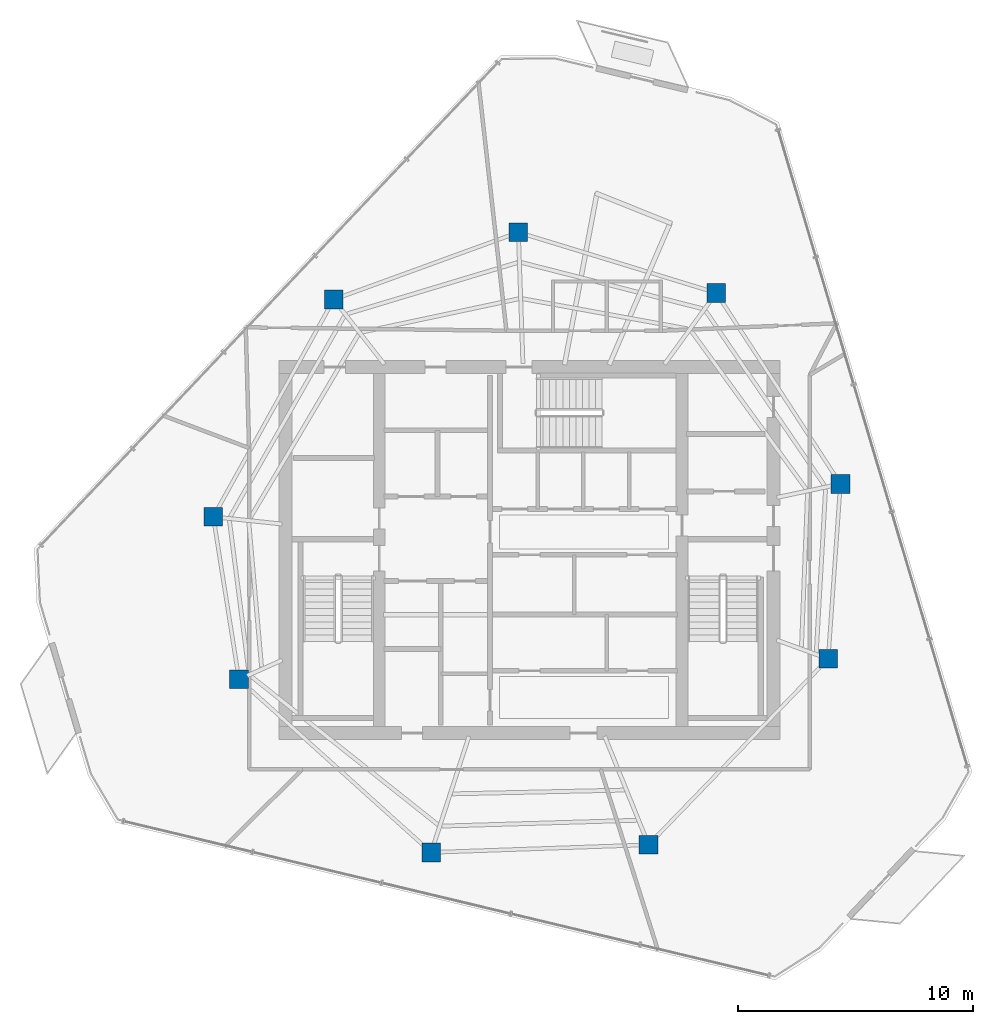
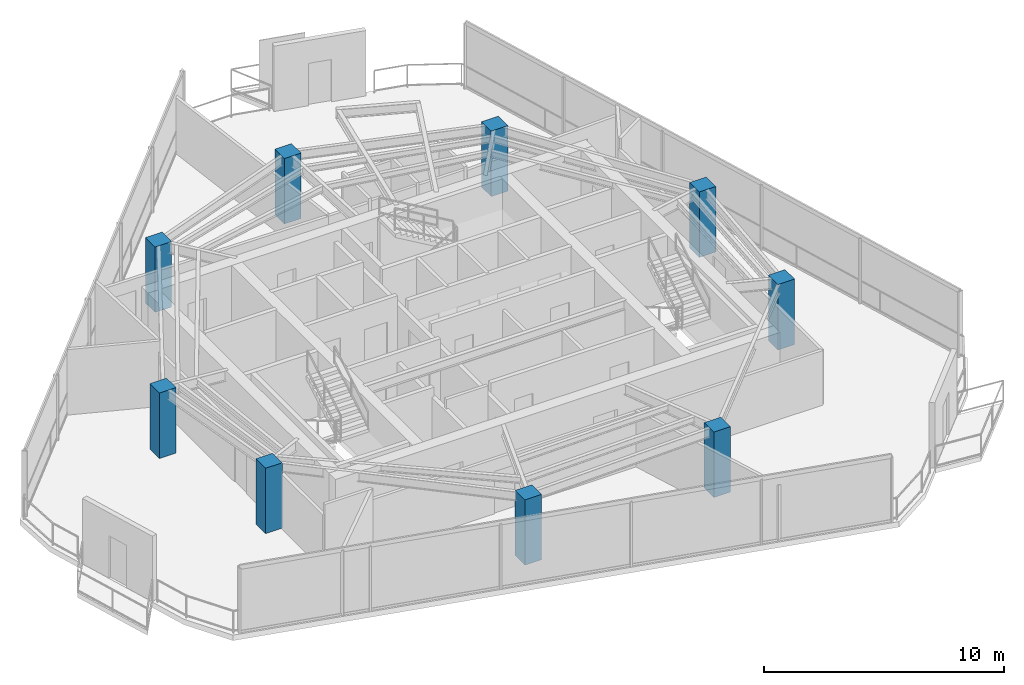
# One storey, part 1 of 18: 9 columns.
"""IFC4 building model written with IfcOpenShell, lengths in metres."""

from ifc_helpers import new_model, si_unit, direction, frame, origin, origin_2d, place, context, subcontext, project, spatial, rectangle, extrude, material, material_profile, profile_set, type_object, element, save


model = new_model("IFC4")

# Units and contexts
model_context = context("Model", 3, precision=1e-05, world=origin(), true_north=direction((0.0, 1.0)))
body_context = subcontext(model_context, "Body", "Model", "MODEL_VIEW")
ifc_project = project(units=[si_unit("LENGTHUNIT", "METRE"), si_unit("AREAUNIT", "SQUARE_METRE"), si_unit("VOLUMEUNIT", "CUBIC_METRE"), si_unit("PLANEANGLEUNIT", "RADIAN"), si_unit("MASSUNIT", "GRAM", prefix="KILO")], contexts=[model_context])

# Site, building, storey
site_placement = place(None, origin())
site = spatial("IfcSite", under=ifc_project, at=site_placement, CompositionType="ELEMENT")
building_placement = place(site_placement, origin())
building = spatial("IfcBuilding", under=site, at=building_placement, Name="Qarnah Convention Tower", CompositionType="ELEMENT")
storey_placement = place(building_placement, frame((0.0, 0.0, 242.699951171875)))
storey = spatial("IfcBuildingStorey", under=building, at=storey_placement, Name="L65", CompositionType="ELEMENT", Elevation=242.699951171875)

# Columns
ifc_material = material(Name="Concrete C50/60", Category="concrete")
ifc_material_profile = material_profile(ifc_material, rectangle(XDim=0.800048828125, YDim=0.800048828125, at=origin_2d()), Name="RC-COL-800X800")
ifc_profile_set = profile_set([ifc_material_profile], Name="Concrete C50/60")
column_type = type_object("IfcColumnType", Name="COL-Z5-800", PredefinedType="COLUMN", material=ifc_profile_set)
for number, where, z_axis, x_axis, name in (
    (1, (50.4541015625, 29.217041015625, 0.0), (0.0, 0.0, 1.0), (1.0, 0.0, 0.0), "L65 plumb column PC-Z5-01"),
    (2, (45.1640625, 37.362060546875, 0.0), (0.0, 0.0, 1.0), (1.0, 0.0, 0.0), "L65 plumb column PC-Z5-02"),
    (3, (36.72705078125, 39.94189453125, 0.0), (0.0, 0.0, 1.0), (1.0, 0.0, 0.0), "L65 plumb column PC-Z5-03"),
    (4, (28.85791015625, 37.077880859375, 0.0), (0.0, 0.0, 1.0), (1.0, 0.0, 0.0), "L65 plumb column PC-Z5-04"),
    (5, (23.72412109375, 27.81591796875, 0.0), (0.0, 0.0, 1.0), (1.0, 0.0, 0.0), "L65 plumb column PC-Z5-05"),
    (6, (24.821044921875, 20.888916015625, 0.0), (0.0, 0.0, 1.0), (1.0, 0.0, 0.0), "L65 plumb column PC-Z5-06"),
    (7, (33.012939453125, 13.512939453125, 0.0), (0.0, 0.0, 1.0), (1.0, 0.0, 0.0), "L65 plumb column PC-Z5-07"),
    (8, (42.27587890625, 13.8369140625, 0.0), (0.0, 0.0, 1.0), (1.0, 0.0, 0.0), "L65 plumb column PC-Z5-08"),
    (9, (49.93310546875, 21.76611328125, 0.0), (0.0, 0.0, 1.0), (1.0, 0.0, 0.0), "L65 plumb column PC-Z5-09"),
):
    element("IfcColumn", number, at=place(storey_placement, frame(where, z_axis=z_axis, x_axis=x_axis)), inside=storey, type_object=column_type, Name=name, PredefinedType="COLUMN", context=body_context, shape_type="SweptSolid", body=[
        extrude(rectangle(XDim=0.800048828125, YDim=0.800048828125, at=origin_2d()), origin(), (0.0, 0.0, 1.0), 3.320068359375),
    ])

save(model, "model.ifc")
